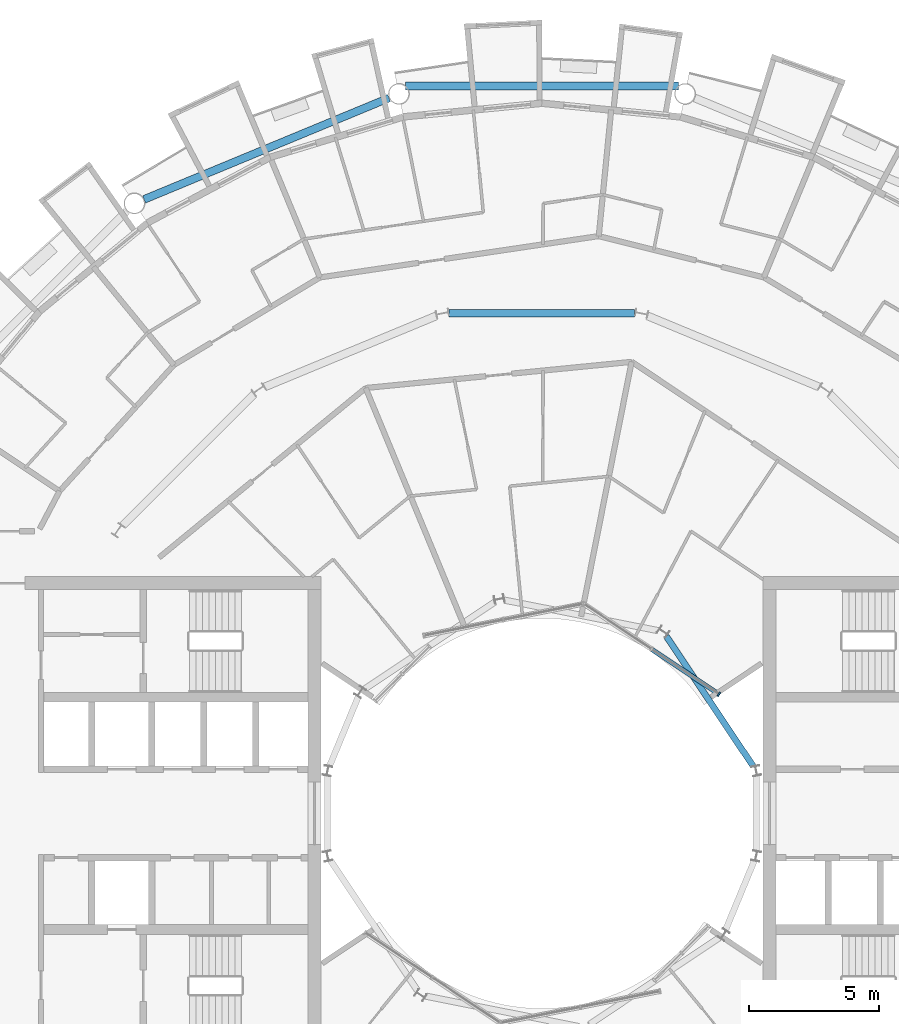
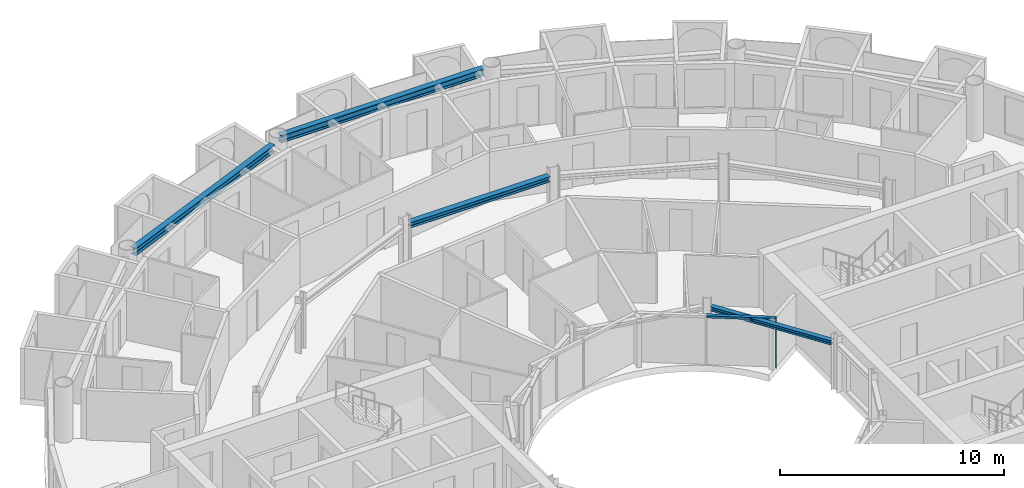
# One storey, part 9 of 27: 4 beams, 2 members, 1 element without a shape of its own.
"""IFC4 building model written with IfcOpenShell, lengths in metres."""

from ifc_helpers import new_model, si_unit, direction, frame, origin, origin_2d, place, context, subcontext, project, spatial, rectangle, i_section, extrude, material, layer, layer_set, material_profile, profile_set, type_object, element, aggregate, save


model = new_model("IFC4")

# Units and contexts
model_context = context("Model", 3, precision=1e-05, world=origin(), true_north=direction((0.0, 1.0)))
body_context = subcontext(model_context, "Body", "Model", "MODEL_VIEW")
ifc_project = project(units=[si_unit("LENGTHUNIT", "METRE"), si_unit("AREAUNIT", "SQUARE_METRE"), si_unit("VOLUMEUNIT", "CUBIC_METRE"), si_unit("PLANEANGLEUNIT", "RADIAN"), si_unit("MASSUNIT", "GRAM", prefix="KILO")], contexts=[model_context])

# Site, building, storey
site_placement = place(None, origin())
site = spatial("IfcSite", under=ifc_project, at=site_placement, CompositionType="ELEMENT")
building_placement = place(site_placement, origin())
building = spatial("IfcBuilding", under=site, at=building_placement, Name="Maasbend Ring Residences", CompositionType="ELEMENT")
storey_placement = place(building_placement, frame((0.0, 0.0, 148.25)))
storey = spatial("IfcBuildingStorey", under=building, at=storey_placement, Name="L42", CompositionType="ELEMENT", Elevation=148.25)

# Curtain wall, members
ifc_material_1 = material(Name="Aluminium and clear glass", Category="aluminium")
ifc_layer = layer(ifc_material_1, 0.179931640625)
ifc_layer_set = layer_set([ifc_layer], Name="CW-W")
curtain_wall_type = type_object("IfcCurtainWallType", Name="CW-W", PredefinedType="NOTDEFINED", material=ifc_layer_set)
curtain_wall_placement = place(storey_placement, origin())
curtain_wall = element("IfcCurtainWall", 1, at=curtain_wall_placement, inside=storey, type_object=curtain_wall_type, Name="Well curtain wall N1", PredefinedType="NOTDEFINED")
ifc_material_2 = material(Name="Aluminium 6063-T6", Category="aluminium")
ifc_material_profile_1 = material_profile(ifc_material_2, rectangle(XDim=0.179931640625, YDim=0.06005859375, at=origin_2d()), Name="AL 180x60")
ifc_profile_set_1 = profile_set([ifc_material_profile_1], Name="Aluminium 6063-T6")
member_type_1 = type_object("IfcMemberType", Name="CWM-W", PredefinedType="MULLION", material=ifc_profile_set_1)
member_1_placement = place(storey_placement, frame((6.805908203125, 4.580810546875, 0.0), z_axis=(0.0, 0.0, 1.0), x_axis=(-0.55557023302, -0.831469612303, 0.0)))
member_1 = element("IfcMember", 2, at=member_1_placement, type_object=member_type_1, Name="Mullion well face", PredefinedType="MULLION", context=body_context, shape_type="SweptSolid", body=[
    extrude(rectangle(XDim=0.179931640625, YDim=0.06005859375, at=origin_2d()), origin(), (0.0, 0.0, 1.0), 2.699951171875),
])
ifc_material_3 = material(Name="Aluminium 6063-T6", Category="aluminium")
ifc_material_profile_2 = material_profile(ifc_material_3, rectangle(XDim=0.179931640625, YDim=0.1201171875, at=origin_2d()), Name="AL 180x120")
ifc_profile_set_2 = profile_set([ifc_material_profile_2], Name="Aluminium 6063-T6")
member_type_2 = type_object("IfcMemberType", Name="CWT-W", PredefinedType="USERDEFINED", material=ifc_profile_set_2)
member_2_placement = place(storey_placement, frame((6.781005859375, 4.59765625, 2.639892578125), z_axis=(-0.831496422459, 0.555530106689, 0.0), x_axis=(-0.555530106689, -0.831496422459, 0.0)))
member_2 = element("IfcMember", 3, at=member_2_placement, type_object=member_type_2, Name="Transom well face", ObjectType="TRANSOM", PredefinedType="USERDEFINED", context=body_context, shape_type="SweptSolid", body=[
    extrude(rectangle(XDim=0.179931640625, YDim=0.1201171875, at=origin_2d()), origin(), (0.0, 0.0, 1.0), 3.053955078125),
])
aggregate(curtain_wall, [member_1, member_2])

# Beams
ifc_material_4 = material(Name="Steel S355J2", Category="steel")
ifc_material_profile_3 = material_profile(ifc_material_4, i_section(OverallWidth=0.300048828125, OverallDepth=0.2900390625, WebThickness=0.008544921875, FlangeThickness=0.013916015625, FilletRadius=0.027099609375, at=origin_2d()), Name="HEA 300")
ifc_profile_set_3 = profile_set([ifc_material_profile_3], Name="Steel S355J2")
beam_type_1 = type_object("IfcBeamType", Name="Corridor ring beam HEA 300", PredefinedType="BEAM", material=ifc_profile_set_3)
beam_1_placement = place(storey_placement, frame((3.56884765625, 19.223388671875, 2.554931640625), z_axis=(-1.0, 0.0, 0.0), x_axis=(0.0, -1.0, 0.0)))
element("IfcBeam", 4, at=beam_1_placement, inside=storey, type_object=beam_type_1, Name="Corridor ring beam", PredefinedType="BEAM", context=body_context, shape_type="SweptSolid", body=[
    extrude(i_section(OverallWidth=0.300048828125, OverallDepth=0.2900390625, WebThickness=0.008544921875, FlangeThickness=0.013916015625, FilletRadius=0.027099609375, at=origin_2d()), origin(), (0.0, 0.0, 1.0), 7.1376953125),
])
ifc_material_5 = material(Name="Steel S355J2", Category="steel")
ifc_material_profile_4 = material_profile(ifc_material_5, i_section(OverallWidth=0.300048828125, OverallDepth=0.39990234375, WebThickness=0.013427734375, FlangeThickness=0.02392578125, FilletRadius=0.027099609375, at=origin_2d()), Name="HEB 400")
ifc_profile_set_4 = profile_set([ifc_material_profile_4], Name="Steel S355J2")
beam_type_2 = type_object("IfcBeamType", Name="Spandrel ring beam HEB 400", PredefinedType="SPANDREL", material=ifc_profile_set_4)
beam_2_placement = place(storey_placement, frame((5.2451171875, 27.9580078125, 2.5), z_axis=(-1.0, 0.0, 0.0), x_axis=(0.0, -1.0, 0.0)))
element("IfcBeam", 5, at=beam_2_placement, inside=storey, type_object=beam_type_2, Name="Spandrel ring beam", PredefinedType="SPANDREL", context=body_context, shape_type="SweptSolid", body=[
    extrude(i_section(OverallWidth=0.300048828125, OverallDepth=0.39990234375, WebThickness=0.013427734375, FlangeThickness=0.02392578125, FilletRadius=0.027099609375, at=origin_2d()), origin(), (0.0, 0.0, 1.0), 10.490234375),
])
beam_3_placement = place(storey_placement, frame((-5.877197265625, 27.50244140625, 2.5), z_axis=(-0.923883676188, -0.382673428492, 0.0), x_axis=(0.382673428492, -0.923883676188, 0.0)))
element("IfcBeam", 6, at=beam_3_placement, inside=storey, type_object=beam_type_2, Name="Spandrel ring beam", PredefinedType="SPANDREL", context=body_context, shape_type="SweptSolid", body=[
    extrude(i_section(OverallWidth=0.300048828125, OverallDepth=0.39990234375, WebThickness=0.013427734375, FlangeThickness=0.02392578125, FilletRadius=0.027099609375, at=origin_2d()), origin(), (0.0, 0.0, 1.0), 10.18994140625),
])
ifc_material_6 = material(Name="Steel S355J2", Category="steel")
ifc_material_profile_5 = material_profile(ifc_material_6, i_section(OverallWidth=0.239990234375, OverallDepth=0.22998046875, WebThickness=0.007568359375, FlangeThickness=0.011962890625, FilletRadius=0.02099609375, at=origin_2d()), Name="HEA 240")
ifc_profile_set_5 = profile_set([ifc_material_profile_5], Name="Steel S355J2")
beam_type_3 = type_object("IfcBeamType", Name="Well edge beam HEA 240", PredefinedType="BEAM", material=ifc_profile_set_5)
beam_4_placement = place(storey_placement, frame((8.121337890625, 1.814208984375, 2.5849609375), z_axis=(-0.555553413909, 0.831480850227, 0.0), x_axis=(-0.831480850227, -0.555553413909, 0.0)))
element("IfcBeam", 7, at=beam_4_placement, inside=storey, type_object=beam_type_3, Name="Well edge beam", PredefinedType="BEAM", context=body_context, shape_type="SweptSolid", body=[
    extrude(i_section(OverallWidth=0.239990234375, OverallDepth=0.22998046875, WebThickness=0.007568359375, FlangeThickness=0.011962890625, FilletRadius=0.02099609375, at=origin_2d()), origin(), (0.0, 0.0, 1.0), 6.0068359375),
])

save(model, "model.ifc")
